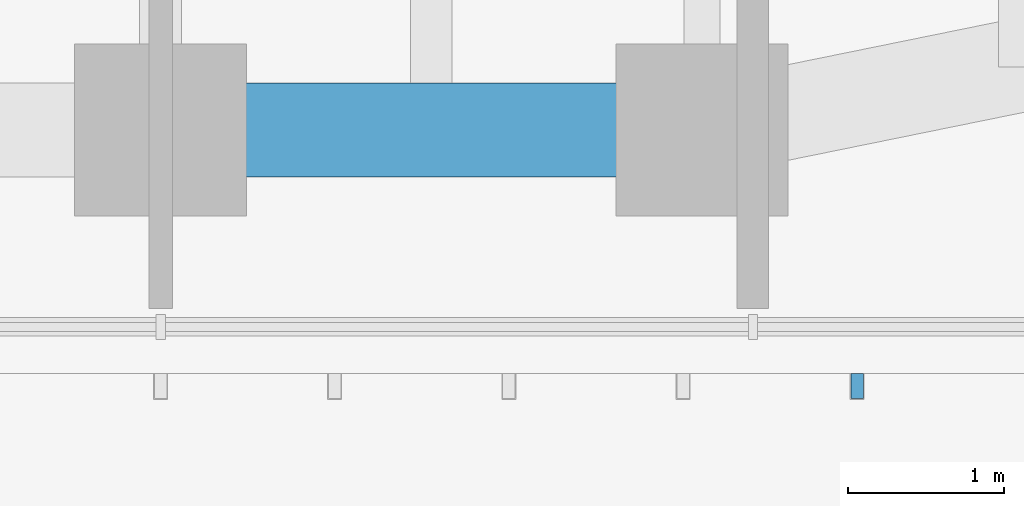
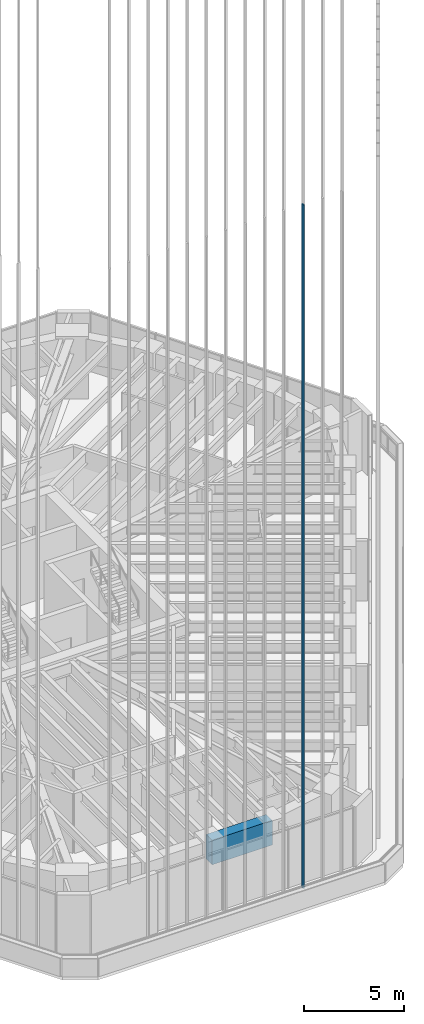
# One storey, part 17 of 127: 1 beam, 1 member, 1 element without a shape of its own.
"""IFC4 building model written with IfcOpenShell, lengths in metres."""

from ifc_helpers import new_model, si_unit, direction, frame, origin, origin_2d, place, context, subcontext, project, spatial, rectangle, extrude, material, material_profile, profile_set, type_object, element, aggregate, save


model = new_model("IFC4")

# Units and contexts
model_context = context("Model", 3, precision=1e-05, world=origin(), true_north=direction((0.0, 1.0)))
body_context = subcontext(model_context, "Body", "Model", "MODEL_VIEW")
ifc_project = project(units=[si_unit("LENGTHUNIT", "METRE"), si_unit("AREAUNIT", "SQUARE_METRE"), si_unit("VOLUMEUNIT", "CUBIC_METRE"), si_unit("PLANEANGLEUNIT", "RADIAN"), si_unit("MASSUNIT", "GRAM", prefix="KILO")], contexts=[model_context])

# Site, building, storey
site_placement = place(None, origin())
site = spatial("IfcSite", under=ifc_project, at=site_placement, CompositionType="ELEMENT")
building_placement = place(site_placement, origin())
building = spatial("IfcBuilding", under=site, at=building_placement, Name="Sandreach Pilgrim Tower", CompositionType="ELEMENT")
storey_placement = place(building_placement, frame((0.0, 0.0, 257.0)))
storey = spatial("IfcBuildingStorey", under=building, at=storey_placement, Name="L64", CompositionType="ELEMENT", Elevation=257.0)

# Beam
ifc_material_1 = material(Name="Concrete 10000 psi", Category="concrete")
ifc_material_profile_1 = material_profile(ifc_material_1, rectangle(XDim=0.60009765625, YDim=1.5, at=origin_2d()), Name="RC600X1500")
ifc_profile_set_1 = profile_set([ifc_material_profile_1], Name="Concrete 10000 psi")
beam_type = type_object("IfcBeamType", Name="Spandrel beam RC600X1500", PredefinedType="SPANDREL", material=ifc_profile_set_1)
beam_placement = place(storey_placement, frame((3.465576171875, -23.59814453125, 2.889892578125), z_axis=(-1.0, 0.0, 0.0), x_axis=(0.0, -1.0, 0.0)))
element("IfcBeam", 1, at=beam_placement, inside=storey, type_object=beam_type, Name="BM L64 SP23", PredefinedType="SPANDREL", context=body_context, shape_type="SweptSolid", body=[
    extrude(rectangle(XDim=0.60009765625, YDim=1.5, at=origin_2d()), origin(), (0.0, 0.0, 1.0), 3.465576171875),
])

# Curtain wall, member
ifc_material_2 = material(Name="Aluminium framed curtain wall", Category="aluminium")
curtain_wall_type = type_object("IfcCurtainWallType", Name="Suite tower curtain wall", PredefinedType="NOTDEFINED", material=ifc_material_2)
curtain_wall_placement = place(storey_placement, origin())
curtain_wall = element("IfcCurtainWall", 2, at=curtain_wall_placement, inside=storey, type_object=curtain_wall_type, Name="CW-4 L64 SA", PredefinedType="NOTDEFINED")
ifc_material_3 = material(Name="Extruded terracotta on aluminium core", Category="masonry")
ifc_material_profile_2 = material_profile(ifc_material_3, rectangle(XDim=0.080078125, YDim=0.159912109375, at=origin_2d()), Name="TBS 80X160")
ifc_profile_set_2 = profile_set([ifc_material_profile_2], Name="Extruded terracotta on aluminium core")
member_type = type_object("IfcMemberType", Name="Terracotta baguette south", PredefinedType="USERDEFINED", material=ifc_profile_set_2)
member_placement = place(storey_placement, frame((4.458740234375, -25.238037109375, 0.0), z_axis=(0.0, 0.0, 1.0), x_axis=(-1.0, 0.0, 0.0)))
member = element("IfcMember", 3, at=member_placement, type_object=member_type, Name="Baguette Z4 S03", ObjectType="BAGUETTE", PredefinedType="USERDEFINED", context=body_context, shape_type="SweptSolid", body=[
    extrude(rectangle(XDim=0.080078125, YDim=0.159912109375, at=origin_2d()), origin(), (0.0, 0.0, 1.0), 41.639892578125),
])
aggregate(curtain_wall, [member])

save(model, "model.ifc")
